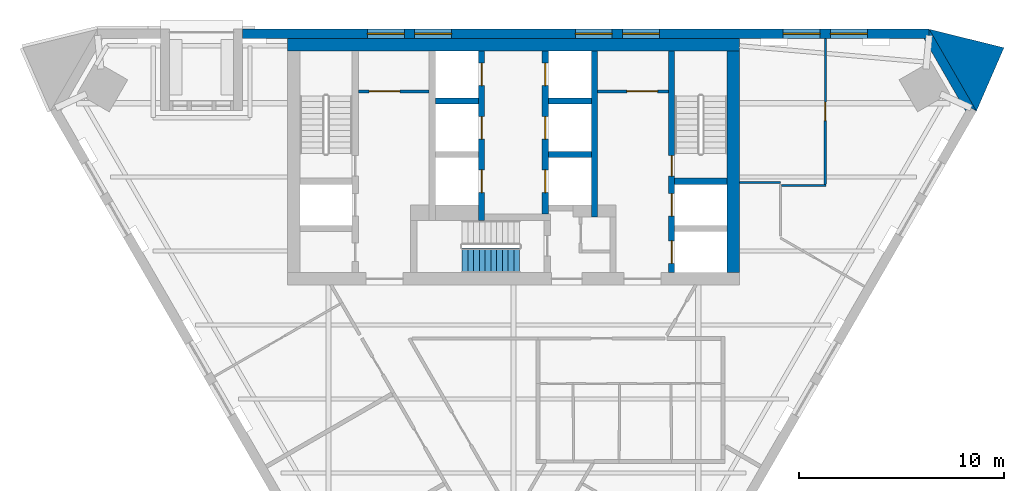
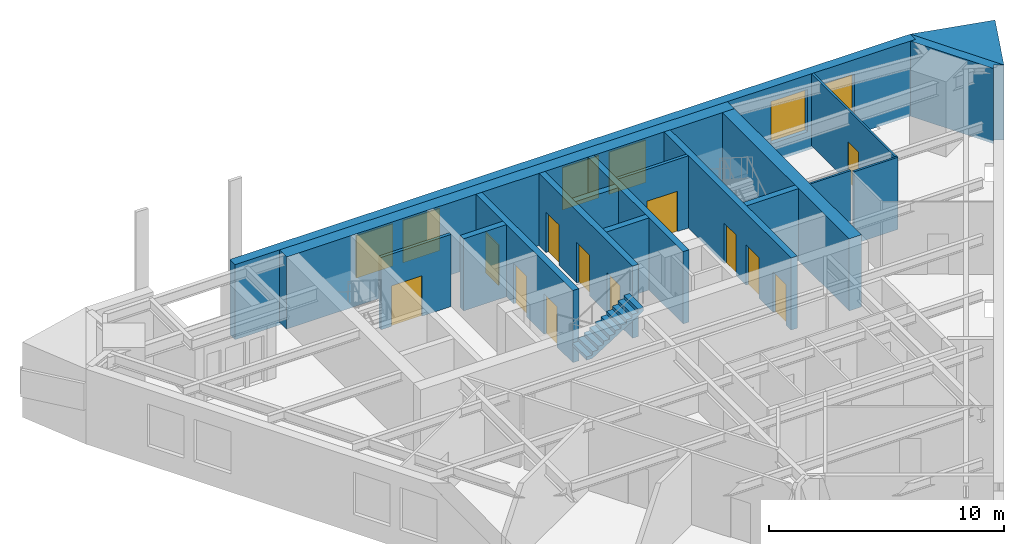
# One storey, part 5 of 8: 18 walls, 12 doors, 6 windows, 1 stair flight, 18 openings, 1 element without a shape of its own.
"""IFC4 building model written with IfcOpenShell, lengths in metres."""

from ifc_helpers import new_model, si_unit, direction, frame, frame_2d, origin, place, context, subcontext, project, spatial, polyline, rectangle, outline, extrude, material, layer, layer_set, type_object, element, fill, aggregate, save


model = new_model("IFC4")

# Units and contexts
model_context = context("Model", 3, precision=1e-05, world=origin(), true_north=direction((0.0, 1.0)))
body_context = subcontext(model_context, "Body", "Model", "MODEL_VIEW")
ifc_project = project(units=[si_unit("LENGTHUNIT", "METRE"), si_unit("AREAUNIT", "SQUARE_METRE"), si_unit("VOLUMEUNIT", "CUBIC_METRE"), si_unit("PLANEANGLEUNIT", "RADIAN"), si_unit("MASSUNIT", "GRAM", prefix="KILO")], contexts=[model_context])

# Site, building, storey
site_placement = place(None, origin())
site = spatial("IfcSite", under=ifc_project, at=site_placement, CompositionType="ELEMENT")
building_placement = place(site_placement, origin())
building = spatial("IfcBuilding", under=site, at=building_placement, Name="Aloe Facet Convention Tower", CompositionType="ELEMENT")
storey_placement = place(building_placement, frame((0.0, 0.0, 140.300048828125)))
storey = spatial("IfcBuildingStorey", under=building, at=storey_placement, Name="L35", CompositionType="ELEMENT", Elevation=140.300048828125)

# Wall, opening, door
ifc_material_1 = material(Name="Concrete blockwork partition", Category="masonry")
ifc_layer_1 = layer(ifc_material_1, 0.14990234375)
ifc_layer_set_1 = layer_set([ifc_layer_1], Name="CR-W-PART150")
wall_type_1 = type_object("IfcWallType", Name="CR-W-PART150", PredefinedType="PARTITIONING", material=ifc_layer_set_1)
wall_1_placement = place(storey_placement, frame((72.449951171875, 131.97509765625, 0.0), z_axis=(0.0, 0.0, 1.0), x_axis=(1.0, 0.0, 0.0)))
wall_1 = element("IfcWall", 1, at=wall_1_placement, inside=storey, type_object=wall_type_1, Name="Core partition L35-007", PredefinedType="PARTITIONING", context=body_context, shape_type="SweptSolid", body=[
    extrude(rectangle(XDim=3.449951171875, YDim=0.14990234375, at=frame_2d((1.72509765625, 0.0))), origin(), (0.0, 0.0, 1.0), 3.75),
])
opening_1_placement = place(wall_1_placement, frame((0.52490234375, 0.0, 0.0)))
opening_1 = element("IfcOpeningElement", 2, at=opening_1_placement, cuts=wall_1, Name="Opening L35-CD14", PredefinedType="OPENING", context=body_context, shape_type="SweptSolid", body=[
    extrude(rectangle(XDim=1.5, YDim=2.10009765625, at=frame_2d((0.75, 1.050048828125))), frame((0.0, 0.0849609375, 0.0), z_axis=(0.0, -1.0, 0.0), x_axis=(1.0, 0.0, 0.0)), (0.0, 0.0, 1.0), 0.169921875),
])
ifc_material_2 = material(Name="Steel fire-resisting door set FD60", Category="steel")
door_type_1 = type_object("IfcDoorType", Name="CR-D-REFUGE-1500-FD60-DD", OperationType="DOUBLE_DOOR_DOUBLE_SWING", PredefinedType="DOOR", material=ifc_material_2)
door_1_placement = place(opening_1_placement, origin())
door_1 = element("IfcDoor", 3, at=door_1_placement, inside=storey, type_object=door_type_1, Name="Core door L35-CD14", OperationType="DOUBLE_DOOR_DOUBLE_SWING", OverallHeight=2.10009765625, OverallWidth=1.5, PredefinedType="DOOR", context=body_context, shape_type="SweptSolid", body=[
    extrude(rectangle(XDim=1.5, YDim=2.10009765625, at=frame_2d((0.75, 1.050048828125))), frame((0.0, 0.02490234375, 0.0), z_axis=(0.0, -1.0, 0.0), x_axis=(1.0, 0.0, 0.0)), (0.0, 0.0, 1.0), 0.050048828125),
])
fill(opening_1, door_1)

wall_2_placement = place(storey_placement, frame((84.10009765625, 131.97509765625, 0.0), z_axis=(0.0, 0.0, 1.0), x_axis=(1.0, 0.0, 0.0)))
wall_2 = element("IfcWall", 4, at=wall_2_placement, inside=storey, type_object=wall_type_1, Name="Core partition L35-025", PredefinedType="PARTITIONING", context=body_context, shape_type="SweptSolid", body=[
    extrude(rectangle(XDim=3.449951171875, YDim=0.14990234375, at=frame_2d((1.72509765625, 0.0))), origin(), (0.0, 0.0, 1.0), 3.75),
])
opening_2_placement = place(wall_2_placement, frame((1.425048828125, 0.0, 0.0)))
opening_2 = element("IfcOpeningElement", 5, at=opening_2_placement, cuts=wall_2, Name="Opening L35-CD13", PredefinedType="OPENING", context=body_context, shape_type="SweptSolid", body=[
    extrude(rectangle(XDim=1.5, YDim=2.10009765625, at=frame_2d((0.75, 1.050048828125))), frame((0.0, 0.0849609375, 0.0), z_axis=(0.0, -1.0, 0.0), x_axis=(1.0, 0.0, 0.0)), (0.0, 0.0, 1.0), 0.169921875),
])
door_2_placement = place(opening_2_placement, origin())
door_2 = element("IfcDoor", 6, at=door_2_placement, inside=storey, type_object=door_type_1, Name="Core door L35-CD13", OperationType="DOUBLE_DOOR_DOUBLE_SWING", OverallHeight=2.10009765625, OverallWidth=1.5, PredefinedType="DOOR", context=body_context, shape_type="SweptSolid", body=[
    extrude(rectangle(XDim=1.5, YDim=2.10009765625, at=frame_2d((0.75, 1.050048828125))), frame((0.0, 0.02490234375, 0.0), z_axis=(0.0, -1.0, 0.0), x_axis=(1.0, 0.0, 0.0)), (0.0, 0.0, 1.0), 0.050048828125),
])
fill(opening_2, door_2)

# Wall
ifc_material_3 = material(Name="Concrete C60/75", Category="concrete")
ifc_layer_2 = layer(ifc_material_3, 0.300048828125)
ifc_layer_set_2 = layer_set([ifc_layer_2], Name="CR-W-RC300-C6075")
wall_type_2 = type_object("IfcWallType", Name="CR-W-RC300-C6075", PredefinedType="SOLIDWALL", material=ifc_layer_set_2)
wall_3_placement = place(storey_placement, frame((76.199951171875, 131.5, 0.0), z_axis=(0.0, 0.0, 1.0), x_axis=(1.0, 0.0, 0.0)))
element("IfcWall", 7, at=wall_3_placement, inside=storey, type_object=wall_type_2, Name="Core wall L35-011", PredefinedType="SOLIDWALL", context=body_context, shape_type="SweptSolid", body=[
    extrude(rectangle(XDim=2.10009765625, YDim=0.300048828125, at=frame_2d((1.050048828125, 0.0))), origin(), (0.0, 0.0, 1.0), 3.75),
])

# Wall, openings, doors
wall_4_placement = place(storey_placement, frame((78.449951171875, 133.949951171875, 0.0), z_axis=(0.0, 0.0, 1.0), x_axis=(0.0, -1.0, 0.0)))
wall_4 = element("IfcWall", 8, at=wall_4_placement, inside=storey, type_object=wall_type_2, Name="Core wall L35-014", PredefinedType="SOLIDWALL", context=body_context, shape_type="SweptSolid", body=[
    extrude(rectangle(XDim=8.25, YDim=0.300048828125, at=frame_2d((4.125, 0.0))), origin(), (0.0, 0.0, 1.0), 3.75),
])
opening_3_placement = place(wall_4_placement, frame((0.60009765625, 0.0, 0.0)))
opening_3 = element("IfcOpeningElement", 9, at=opening_3_placement, cuts=wall_4, Name="Opening LD-B1-L35", PredefinedType="OPENING", context=body_context, shape_type="SweptSolid", body=[
    extrude(rectangle(XDim=1.10009765625, YDim=2.10009765625, at=frame_2d((0.550048828125, 1.050048828125))), frame((0.0, 0.16015625, 0.0), z_axis=(0.0, -1.0, 0.0), x_axis=(1.0, 0.0, 0.0)), (0.0, 0.0, 1.0), 0.320068359375),
])
opening_4_placement = place(wall_4_placement, frame((3.199951171875, 0.0, 0.0)))
opening_4 = element("IfcOpeningElement", 10, at=opening_4_placement, cuts=wall_4, Name="Opening LD-B2-L35", PredefinedType="OPENING", context=body_context, shape_type="SweptSolid", body=[
    extrude(rectangle(XDim=1.10009765625, YDim=2.10009765625, at=frame_2d((0.550048828125, 1.050048828125))), frame((0.0, 0.16015625, 0.0), z_axis=(0.0, -1.0, 0.0), x_axis=(1.0, 0.0, 0.0)), (0.0, 0.0, 1.0), 0.320068359375),
])
opening_5_placement = place(wall_4_placement, frame((5.800048828125, 0.0, 0.0)))
opening_5 = element("IfcOpeningElement", 11, at=opening_5_placement, cuts=wall_4, Name="Opening LD-B3-L35", PredefinedType="OPENING", context=body_context, shape_type="SweptSolid", body=[
    extrude(rectangle(XDim=1.10009765625, YDim=2.10009765625, at=frame_2d((0.550048828125, 1.050048828125))), frame((0.0, 0.16015625, 0.0), z_axis=(0.0, -1.0, 0.0), x_axis=(1.0, 0.0, 0.0)), (0.0, 0.0, 1.0), 0.320068359375),
])
ifc_material_4 = material(Name="Stainless steel sliding landing door", Category="steel")
door_type_2 = type_object("IfcDoorType", Name="CR-LD-1100-FD60-RIGHT", OperationType="SLIDING_TO_RIGHT", PredefinedType="DOOR", material=ifc_material_4)
door_3_placement = place(opening_3_placement, origin())
door_3 = element("IfcDoor", 12, at=door_3_placement, inside=storey, type_object=door_type_2, Name="Landing door B1 L35", OperationType="SLIDING_TO_RIGHT", OverallHeight=2.10009765625, OverallWidth=1.10009765625, PredefinedType="DOOR", context=body_context, shape_type="SweptSolid", body=[
    extrude(rectangle(XDim=1.10009765625, YDim=2.10009765625, at=frame_2d((0.550048828125, 1.050048828125))), frame((0.0, 0.02490234375, 0.0), z_axis=(0.0, -1.0, 0.0), x_axis=(1.0, 0.0, 0.0)), (0.0, 0.0, 1.0), 0.050048828125),
])
fill(opening_3, door_3)
door_4_placement = place(opening_4_placement, origin())
door_4 = element("IfcDoor", 13, at=door_4_placement, inside=storey, type_object=door_type_2, Name="Landing door B2 L35", OperationType="SLIDING_TO_RIGHT", OverallHeight=2.10009765625, OverallWidth=1.10009765625, PredefinedType="DOOR", context=body_context, shape_type="SweptSolid", body=[
    extrude(rectangle(XDim=1.10009765625, YDim=2.10009765625, at=frame_2d((0.550048828125, 1.050048828125))), frame((0.0, 0.02490234375, 0.0), z_axis=(0.0, -1.0, 0.0), x_axis=(1.0, 0.0, 0.0)), (0.0, 0.0, 1.0), 0.050048828125),
])
fill(opening_4, door_4)
door_5_placement = place(opening_5_placement, origin())
door_5 = element("IfcDoor", 14, at=door_5_placement, inside=storey, type_object=door_type_2, Name="Landing door B3 L35", OperationType="SLIDING_TO_RIGHT", OverallHeight=2.10009765625, OverallWidth=1.10009765625, PredefinedType="DOOR", context=body_context, shape_type="SweptSolid", body=[
    extrude(rectangle(XDim=1.10009765625, YDim=2.10009765625, at=frame_2d((0.550048828125, 1.050048828125))), frame((0.0, 0.02490234375, 0.0), z_axis=(0.0, -1.0, 0.0), x_axis=(1.0, 0.0, 0.0)), (0.0, 0.0, 1.0), 0.050048828125),
])
fill(opening_5, door_5)

wall_5_placement = place(storey_placement, frame((81.550048828125, 133.949951171875, 0.0), z_axis=(0.0, 0.0, 1.0), x_axis=(0.0, -1.0, 0.0)))
wall_5 = element("IfcWall", 15, at=wall_5_placement, inside=storey, type_object=wall_type_2, Name="Core wall L35-016", PredefinedType="SOLIDWALL", context=body_context, shape_type="SweptSolid", body=[
    extrude(rectangle(XDim=7.949951171875, YDim=0.300048828125, at=frame_2d((3.97509765625, 0.0))), origin(), (0.0, 0.0, 1.0), 3.75),
])
opening_6_placement = place(wall_5_placement, frame((0.60009765625, 0.0, 0.0)))
opening_6 = element("IfcOpeningElement", 16, at=opening_6_placement, cuts=wall_5, Name="Opening LD-B4-L35", PredefinedType="OPENING", context=body_context, shape_type="SweptSolid", body=[
    extrude(rectangle(XDim=1.10009765625, YDim=2.10009765625, at=frame_2d((0.550048828125, 1.050048828125))), frame((0.0, 0.16015625, 0.0), z_axis=(0.0, -1.0, 0.0), x_axis=(1.0, 0.0, 0.0)), (0.0, 0.0, 1.0), 0.320068359375),
])
opening_7_placement = place(wall_5_placement, frame((3.199951171875, 0.0, 0.0)))
opening_7 = element("IfcOpeningElement", 17, at=opening_7_placement, cuts=wall_5, Name="Opening LD-B5-L35", PredefinedType="OPENING", context=body_context, shape_type="SweptSolid", body=[
    extrude(rectangle(XDim=1.10009765625, YDim=2.10009765625, at=frame_2d((0.550048828125, 1.050048828125))), frame((0.0, 0.16015625, 0.0), z_axis=(0.0, -1.0, 0.0), x_axis=(1.0, 0.0, 0.0)), (0.0, 0.0, 1.0), 0.320068359375),
])
opening_8_placement = place(wall_5_placement, frame((5.800048828125, 0.0, 0.0)))
opening_8 = element("IfcOpeningElement", 18, at=opening_8_placement, cuts=wall_5, Name="Opening LD-B6-L35", PredefinedType="OPENING", context=body_context, shape_type="SweptSolid", body=[
    extrude(rectangle(XDim=1.10009765625, YDim=2.10009765625, at=frame_2d((0.550048828125, 1.050048828125))), frame((0.0, 0.16015625, 0.0), z_axis=(0.0, -1.0, 0.0), x_axis=(1.0, 0.0, 0.0)), (0.0, 0.0, 1.0), 0.320068359375),
])
ifc_material_5 = material(Name="Stainless steel sliding landing door", Category="steel")
door_type_3 = type_object("IfcDoorType", Name="CR-LD-1100-FD60-_LEFT", OperationType="SLIDING_TO_LEFT", PredefinedType="DOOR", material=ifc_material_5)
door_6_placement = place(opening_6_placement, origin())
door_6 = element("IfcDoor", 19, at=door_6_placement, inside=storey, type_object=door_type_3, Name="Landing door B4 L35", OperationType="SLIDING_TO_LEFT", OverallHeight=2.10009765625, OverallWidth=1.10009765625, PredefinedType="DOOR", context=body_context, shape_type="SweptSolid", body=[
    extrude(rectangle(XDim=1.10009765625, YDim=2.10009765625, at=frame_2d((0.550048828125, 1.050048828125))), frame((0.0, 0.02490234375, 0.0), z_axis=(0.0, -1.0, 0.0), x_axis=(1.0, 0.0, 0.0)), (0.0, 0.0, 1.0), 0.050048828125),
])
fill(opening_6, door_6)
door_7_placement = place(opening_7_placement, origin())
door_7 = element("IfcDoor", 20, at=door_7_placement, inside=storey, type_object=door_type_3, Name="Landing door B5 L35", OperationType="SLIDING_TO_LEFT", OverallHeight=2.10009765625, OverallWidth=1.10009765625, PredefinedType="DOOR", context=body_context, shape_type="SweptSolid", body=[
    extrude(rectangle(XDim=1.10009765625, YDim=2.10009765625, at=frame_2d((0.550048828125, 1.050048828125))), frame((0.0, 0.02490234375, 0.0), z_axis=(0.0, -1.0, 0.0), x_axis=(1.0, 0.0, 0.0)), (0.0, 0.0, 1.0), 0.050048828125),
])
fill(opening_7, door_7)
door_8_placement = place(opening_8_placement, origin())
door_8 = element("IfcDoor", 21, at=door_8_placement, inside=storey, type_object=door_type_3, Name="Landing door B6 L35", OperationType="SLIDING_TO_LEFT", OverallHeight=2.10009765625, OverallWidth=1.10009765625, PredefinedType="DOOR", context=body_context, shape_type="SweptSolid", body=[
    extrude(rectangle(XDim=1.10009765625, YDim=2.10009765625, at=frame_2d((0.550048828125, 1.050048828125))), frame((0.0, 0.02490234375, 0.0), z_axis=(0.0, -1.0, 0.0), x_axis=(1.0, 0.0, 0.0)), (0.0, 0.0, 1.0), 0.050048828125),
])
fill(opening_8, door_8)

# Walls
for number, where, z_axis, x_axis, name in (
    (22, (81.699951171875, 131.5, 0.0), (0.0, 0.0, 1.0), (1.0, 0.0, 0.0), "Core wall L35-018"),
    (23, (81.699951171875, 128.89990234375, 0.0), (0.0, 0.0, 1.0), (1.0, 0.0, 0.0), "Core wall L35-019"),
):
    element("IfcWall", number, at=place(storey_placement, frame(where, z_axis=z_axis, x_axis=x_axis)), inside=storey, type_object=wall_type_2, Name=name, PredefinedType="SOLIDWALL", context=body_context, shape_type="SweptSolid", body=[
        extrude(rectangle(XDim=2.10009765625, YDim=0.300048828125, at=frame_2d((1.050048828125, 0.0))), origin(), (0.0, 0.0, 1.0), 3.75),
    ])
wall_6_placement = place(storey_placement, frame((83.949951171875, 133.949951171875, 0.0), z_axis=(0.0, 0.0, 1.0), x_axis=(0.0, -1.0, 0.0)))
element("IfcWall", 24, at=wall_6_placement, inside=storey, type_object=wall_type_2, Name="Core wall L35-024", PredefinedType="SOLIDWALL", context=body_context, shape_type="SweptSolid", body=[
    extrude(rectangle(XDim=8.099853515625, YDim=0.300048828125, at=frame_2d((4.0498046875, 0.0))), origin(), (0.0, 0.0, 1.0), 3.75),
])

# Wall, openings, doors
wall_7_placement = place(storey_placement, frame((87.699951171875, 133.949951171875, 0.0), z_axis=(0.0, 0.0, 1.0), x_axis=(0.0, -1.0, 0.0)))
wall_7 = element("IfcWall", 25, at=wall_7_placement, inside=storey, type_object=wall_type_2, Name="Core wall L35-028", PredefinedType="SOLIDWALL", context=body_context, shape_type="SweptSolid", body=[
    extrude(rectangle(XDim=10.800048828125, YDim=0.300048828125, at=frame_2d((5.39990234375, 0.0))), origin(), (0.0, 0.0, 1.0), 3.75),
])
opening_9_placement = place(wall_7_placement, frame((6.949951171875, 0.0, 0.0)))
opening_9 = element("IfcOpeningElement", 26, at=opening_9_placement, cuts=wall_7, Name="Opening LD-FF2-L35", PredefinedType="OPENING", context=body_context, shape_type="SweptSolid", body=[
    extrude(rectangle(XDim=1.10009765625, YDim=2.10009765625, at=frame_2d((0.550048828125, 1.050048828125))), frame((0.0, 0.16015625, 0.0), z_axis=(0.0, -1.0, 0.0), x_axis=(1.0, 0.0, 0.0)), (0.0, 0.0, 1.0), 0.320068359375),
])
opening_10_placement = place(wall_7_placement, frame((5.10009765625, 0.0, 0.0)))
opening_10 = element("IfcOpeningElement", 27, at=opening_10_placement, cuts=wall_7, Name="Opening L35-CD17", PredefinedType="OPENING", context=body_context, shape_type="SweptSolid", body=[
    extrude(rectangle(XDim=1.0, YDim=2.10009765625, at=frame_2d((0.5, 1.050048828125))), frame((0.0, 0.16015625, 0.0), z_axis=(0.0, -1.0, 0.0), x_axis=(1.0, 0.0, 0.0)), (0.0, 0.0, 1.0), 0.320068359375),
])
opening_11_placement = place(wall_7_placement, frame((9.25, 0.0, 0.0)))
opening_11 = element("IfcOpeningElement", 28, at=opening_11_placement, cuts=wall_7, Name="Opening LD-SV1-L35", PredefinedType="OPENING", context=body_context, shape_type="SweptSolid", body=[
    extrude(rectangle(XDim=1.10009765625, YDim=2.10009765625, at=frame_2d((0.550048828125, 1.050048828125))), frame((0.0, 0.16015625, 0.0), z_axis=(0.0, -1.0, 0.0), x_axis=(1.0, 0.0, 0.0)), (0.0, 0.0, 1.0), 0.320068359375),
])
ifc_material_6 = material(Name="Steel fire-resisting door set FD120", Category="steel")
door_type_4 = type_object("IfcDoorType", Name="CR-D-STAIR-1000-FD120-SLEFT", OperationType="SINGLE_SWING_LEFT", PredefinedType="DOOR", material=ifc_material_6)
door_9_placement = place(opening_10_placement, origin())
door_9 = element("IfcDoor", 29, at=door_9_placement, inside=storey, type_object=door_type_4, Name="Core door L35-CD17", OperationType="SINGLE_SWING_LEFT", OverallHeight=2.10009765625, OverallWidth=1.0, PredefinedType="DOOR", context=body_context, shape_type="SweptSolid", body=[
    extrude(rectangle(XDim=1.0, YDim=2.10009765625, at=frame_2d((0.5, 1.050048828125))), frame((0.0, 0.02490234375, 0.0), z_axis=(0.0, -1.0, 0.0), x_axis=(1.0, 0.0, 0.0)), (0.0, 0.0, 1.0), 0.050048828125),
])
fill(opening_10, door_9)
ifc_material_7 = material(Name="Stainless steel sliding landing door", Category="steel")
door_type_5 = type_object("IfcDoorType", Name="CR-LD-1100-FD120-_LEFT", OperationType="SLIDING_TO_LEFT", PredefinedType="DOOR", material=ifc_material_7)
door_10_placement = place(opening_9_placement, origin())
door_10 = element("IfcDoor", 30, at=door_10_placement, inside=storey, type_object=door_type_5, Name="Landing door FF2 L35", OperationType="SLIDING_TO_LEFT", OverallHeight=2.10009765625, OverallWidth=1.10009765625, PredefinedType="DOOR", context=body_context, shape_type="SweptSolid", body=[
    extrude(rectangle(XDim=1.10009765625, YDim=2.10009765625, at=frame_2d((0.550048828125, 1.050048828125))), frame((0.0, 0.02490234375, 0.0), z_axis=(0.0, -1.0, 0.0), x_axis=(1.0, 0.0, 0.0)), (0.0, 0.0, 1.0), 0.050048828125),
])
fill(opening_9, door_10)
door_11_placement = place(opening_11_placement, origin())
door_11 = element("IfcDoor", 31, at=door_11_placement, inside=storey, type_object=door_type_5, Name="Landing door SV1 L35", OperationType="SLIDING_TO_LEFT", OverallHeight=2.10009765625, OverallWidth=1.10009765625, PredefinedType="DOOR", context=body_context, shape_type="SweptSolid", body=[
    extrude(rectangle(XDim=1.10009765625, YDim=2.10009765625, at=frame_2d((0.550048828125, 1.050048828125))), frame((0.0, 0.02490234375, 0.0), z_axis=(0.0, -1.0, 0.0), x_axis=(1.0, 0.0, 0.0)), (0.0, 0.0, 1.0), 0.050048828125),
])
fill(opening_11, door_11)

# Walls
wall_8_placement = place(storey_placement, frame((87.85009765625, 127.60009765625, 0.0), z_axis=(0.0, 0.0, 1.0), x_axis=(1.0, 0.0, 0.0)))
element("IfcWall", 32, at=wall_8_placement, inside=storey, type_object=wall_type_2, Name="Core wall L35-029", PredefinedType="SOLIDWALL", context=body_context, shape_type="SweptSolid", body=[
    extrude(rectangle(XDim=2.5498046875, YDim=0.300048828125, at=frame_2d((1.27490234375, 0.0))), origin(), (0.0, 0.0, 1.0), 3.75),
])
ifc_material_8 = material(Name="Concrete C60/75", Category="concrete")
ifc_layer_3 = layer(ifc_material_8, 0.60009765625)
ifc_layer_set_3 = layer_set([ifc_layer_3], Name="CR-W-RC600-C6075")
wall_type_3 = type_object("IfcWallType", Name="CR-W-RC600-C6075", PredefinedType="SOLIDWALL", material=ifc_layer_set_3)
wall_9_placement = place(storey_placement, frame((69.0, 134.25, 0.0), z_axis=(0.0, 0.0, 1.0), x_axis=(1.0, 0.0, 0.0)))
element("IfcWall", 33, at=wall_9_placement, inside=storey, type_object=wall_type_3, Name="Core wall L35-001", PredefinedType="SOLIDWALL", context=body_context, shape_type="SweptSolid", body=[
    extrude(rectangle(XDim=22.0, YDim=0.60009765625, at=frame_2d((11.0, 0.0))), origin(), (0.0, 0.0, 1.0), 3.75),
])
wall_10_placement = place(storey_placement, frame((90.699951171875, 133.949951171875, 0.0), z_axis=(0.0, 0.0, 1.0), x_axis=(0.0, -1.0, 0.0)))
element("IfcWall", 34, at=wall_10_placement, inside=storey, type_object=wall_type_3, Name="Core wall L35-031", PredefinedType="SOLIDWALL", context=body_context, shape_type="SweptSolid", body=[
    extrude(rectangle(XDim=10.800048828125, YDim=0.60009765625, at=frame_2d((5.39990234375, 0.0))), origin(), (0.0, 0.0, 1.0), 3.75),
])
ifc_material_9 = material(Name="Precast concrete C40/50", Category="concrete")
ifc_layer_4 = layer(ifc_material_9, 0.449951171875)
ifc_layer_set_4 = layer_set([ifc_layer_4], Name="EV-WALL-PIER")
wall_type_4 = type_object("IfcWallType", Name="EV-WALL-PIER", PredefinedType="SOLIDWALL", material=ifc_layer_set_4)
wall_11_placement = place(storey_placement, frame((0.0, 0.0, -0.150146484375)))
element("IfcWall", 35, at=wall_11_placement, inside=storey, type_object=wall_type_4, Name="EP-L35-C", PredefinedType="SOLIDWALL", context=body_context, shape_type="SweptSolid", body=[
    extrude(outline(polyline([(102.54296875, 131.016357421875), (102.1533203125, 131.2412109375), (102.0234375, 131.016357421875), (99.983154296875, 134.550048828125), (100.2431640625, 134.550048828125), (100.2431640625, 135.0), (102.54296875, 131.016357421875)])), origin(), (0.0, 0.0, 1.0), 3.900146484375),
])
ifc_material_10 = material(Name="Precast concrete C40/50", Category="concrete")
ifc_layer_5 = layer(ifc_material_10, 3.947998046875)
ifc_layer_set_5 = layer_set([ifc_layer_5], Name="EV-WALL-SPINE")
wall_type_5 = type_object("IfcWallType", Name="EV-WALL-SPINE", PredefinedType="SOLIDWALL", material=ifc_layer_set_5)
wall_12_placement = place(storey_placement, frame((0.0, 0.0, -0.150146484375)))
element("IfcWall", 36, at=wall_12_placement, inside=storey, type_object=wall_type_5, Name="SP-NE-L35", PredefinedType="SOLIDWALL", context=body_context, shape_type="SweptSolid", body=[
    extrude(outline(polyline([(102.54296875, 131.016357421875), (103.88427734375, 134.1015625), (100.2431640625, 135.0), (102.54296875, 131.016357421875)])), origin(), (0.0, 0.0, 1.0), 3.900146484375),
])

# Wall, openings, windows
ifc_material_11 = material(Name="Precast concrete C40/50", Category="concrete")
ifc_layer_6 = layer(ifc_material_11, 0.449951171875)
ifc_layer_set_6 = layer_set([ifc_layer_6], Name="EV-WALL-STONE")
wall_type_6 = type_object("IfcWallType", Name="EV-WALL-STONE", PredefinedType="SOLIDWALL", material=ifc_layer_set_6)
wall_13_placement = place(storey_placement, frame((100.2431640625, 134.77490234375, -0.150146484375), z_axis=(0.0, 0.0, 1.0), x_axis=(-1.0, 0.0, 0.0)))
wall_13 = element("IfcWall", 37, at=wall_13_placement, inside=storey, type_object=wall_type_6, Name="EW-L35-N01", PredefinedType="SOLIDWALL", context=body_context, shape_type="SweptSolid", body=[
    extrude(outline(polyline([(0.0, 0.0), (0.0, 3.900146484375), (33.42529296875, 3.900146484375), (33.42529296875, 0.0), (0.0, 0.0)])), frame((0.0, 0.22509765625, 0.0), z_axis=(0.0, -1.0, 0.0), x_axis=(1.0, 0.0, 0.0)), (0.0, 0.0, 1.0), 0.449951171875),
])
opening_12_placement = place(wall_13_placement, frame((3.0107421875, 0.0, 0.949951171875)))
opening_12 = element("IfcOpeningElement", 38, at=opening_12_placement, cuts=wall_13, Name="Opening W-L35-N01", PredefinedType="OPENING", context=body_context, shape_type="SweptSolid", body=[
    extrude(rectangle(XDim=1.800048828125, YDim=2.199951171875, at=frame_2d((0.89990234375, 1.10009765625))), frame((0.0, 0.23486328125, 0.0), z_axis=(0.0, -1.0, 0.0), x_axis=(1.0, 0.0, 0.0)), (0.0, 0.0, 1.0), 0.469970703125),
])
opening_13_placement = place(wall_13_placement, frame((5.310791015625, 0.0, 0.949951171875)))
opening_13 = element("IfcOpeningElement", 39, at=opening_13_placement, cuts=wall_13, Name="Opening W-L35-N02", PredefinedType="OPENING", context=body_context, shape_type="SweptSolid", body=[
    extrude(rectangle(XDim=1.800048828125, YDim=2.199951171875, at=frame_2d((0.89990234375, 1.10009765625))), frame((0.0, 0.23486328125, 0.0), z_axis=(0.0, -1.0, 0.0), x_axis=(1.0, 0.0, 0.0)), (0.0, 0.0, 1.0), 0.469970703125),
])
opening_14_placement = place(wall_13_placement, frame((13.13232421875, 0.0, 0.949951171875)))
opening_14 = element("IfcOpeningElement", 40, at=opening_14_placement, cuts=wall_13, Name="Opening W-L35-N03", PredefinedType="OPENING", context=body_context, shape_type="SweptSolid", body=[
    extrude(rectangle(XDim=1.800048828125, YDim=2.199951171875, at=frame_2d((0.89990234375, 1.10009765625))), frame((0.0, 0.23486328125, 0.0), z_axis=(0.0, -1.0, 0.0), x_axis=(1.0, 0.0, 0.0)), (0.0, 0.0, 1.0), 0.469970703125),
])
opening_15_placement = place(wall_13_placement, frame((15.432373046875, 0.0, 0.949951171875)))
opening_15 = element("IfcOpeningElement", 41, at=opening_15_placement, cuts=wall_13, Name="Opening W-L35-N04", PredefinedType="OPENING", context=body_context, shape_type="SweptSolid", body=[
    extrude(rectangle(XDim=1.800048828125, YDim=2.199951171875, at=frame_2d((0.89990234375, 1.10009765625))), frame((0.0, 0.23486328125, 0.0), z_axis=(0.0, -1.0, 0.0), x_axis=(1.0, 0.0, 0.0)), (0.0, 0.0, 1.0), 0.469970703125),
])
opening_16_placement = place(wall_13_placement, frame((23.25390625, 0.0, 0.949951171875)))
opening_16 = element("IfcOpeningElement", 42, at=opening_16_placement, cuts=wall_13, Name="Opening W-L35-N05", PredefinedType="OPENING", context=body_context, shape_type="SweptSolid", body=[
    extrude(rectangle(XDim=1.800048828125, YDim=2.199951171875, at=frame_2d((0.89990234375, 1.10009765625))), frame((0.0, 0.23486328125, 0.0), z_axis=(0.0, -1.0, 0.0), x_axis=(1.0, 0.0, 0.0)), (0.0, 0.0, 1.0), 0.469970703125),
])
opening_17_placement = place(wall_13_placement, frame((25.553955078125, 0.0, 0.949951171875)))
opening_17 = element("IfcOpeningElement", 43, at=opening_17_placement, cuts=wall_13, Name="Opening W-L35-N06", PredefinedType="OPENING", context=body_context, shape_type="SweptSolid", body=[
    extrude(rectangle(XDim=1.800048828125, YDim=2.199951171875, at=frame_2d((0.89990234375, 1.10009765625))), frame((0.0, 0.23486328125, 0.0), z_axis=(0.0, -1.0, 0.0), x_axis=(1.0, 0.0, 0.0)), (0.0, 0.0, 1.0), 0.469970703125),
])
ifc_material_12 = material(Name="Aluminium frame, clear double glazing", Category="aluminium")
window_type = type_object("IfcWindowType", Name="EV-WIN-O18", PartitioningType="SINGLE_PANEL", PredefinedType="WINDOW", material=ifc_material_12)
window_1_placement = place(opening_12_placement, origin())
window_1 = element("IfcWindow", 44, at=window_1_placement, inside=storey, type_object=window_type, Name="W-L35-N01", OverallHeight=2.199951171875, OverallWidth=1.800048828125, PartitioningType="SINGLE_PANEL", PredefinedType="WINDOW", context=body_context, shape_type="SweptSolid", body=[
    extrude(rectangle(XDim=1.800048828125, YDim=2.199951171875, at=frame_2d((0.89990234375, 1.10009765625))), frame((0.0, 0.030029296875, 0.0), z_axis=(0.0, -1.0, 0.0), x_axis=(1.0, 0.0, 0.0)), (0.0, 0.0, 1.0), 0.06005859375),
])
fill(opening_12, window_1)
window_2_placement = place(opening_13_placement, origin())
window_2 = element("IfcWindow", 45, at=window_2_placement, inside=storey, type_object=window_type, Name="W-L35-N02", OverallHeight=2.199951171875, OverallWidth=1.800048828125, PartitioningType="SINGLE_PANEL", PredefinedType="WINDOW", context=body_context, shape_type="SweptSolid", body=[
    extrude(rectangle(XDim=1.800048828125, YDim=2.199951171875, at=frame_2d((0.89990234375, 1.10009765625))), frame((0.0, 0.030029296875, 0.0), z_axis=(0.0, -1.0, 0.0), x_axis=(1.0, 0.0, 0.0)), (0.0, 0.0, 1.0), 0.06005859375),
])
fill(opening_13, window_2)
window_3_placement = place(opening_14_placement, origin())
window_3 = element("IfcWindow", 46, at=window_3_placement, inside=storey, type_object=window_type, Name="W-L35-N03", OverallHeight=2.199951171875, OverallWidth=1.800048828125, PartitioningType="SINGLE_PANEL", PredefinedType="WINDOW", context=body_context, shape_type="SweptSolid", body=[
    extrude(rectangle(XDim=1.800048828125, YDim=2.199951171875, at=frame_2d((0.89990234375, 1.10009765625))), frame((0.0, 0.030029296875, 0.0), z_axis=(0.0, -1.0, 0.0), x_axis=(1.0, 0.0, 0.0)), (0.0, 0.0, 1.0), 0.06005859375),
])
fill(opening_14, window_3)
window_4_placement = place(opening_15_placement, origin())
window_4 = element("IfcWindow", 47, at=window_4_placement, inside=storey, type_object=window_type, Name="W-L35-N04", OverallHeight=2.199951171875, OverallWidth=1.800048828125, PartitioningType="SINGLE_PANEL", PredefinedType="WINDOW", context=body_context, shape_type="SweptSolid", body=[
    extrude(rectangle(XDim=1.800048828125, YDim=2.199951171875, at=frame_2d((0.89990234375, 1.10009765625))), frame((0.0, 0.030029296875, 0.0), z_axis=(0.0, -1.0, 0.0), x_axis=(1.0, 0.0, 0.0)), (0.0, 0.0, 1.0), 0.06005859375),
])
fill(opening_15, window_4)
window_5_placement = place(opening_16_placement, origin())
window_5 = element("IfcWindow", 48, at=window_5_placement, inside=storey, type_object=window_type, Name="W-L35-N05", OverallHeight=2.199951171875, OverallWidth=1.800048828125, PartitioningType="SINGLE_PANEL", PredefinedType="WINDOW", context=body_context, shape_type="SweptSolid", body=[
    extrude(rectangle(XDim=1.800048828125, YDim=2.199951171875, at=frame_2d((0.89990234375, 1.10009765625))), frame((0.0, 0.030029296875, 0.0), z_axis=(0.0, -1.0, 0.0), x_axis=(1.0, 0.0, 0.0)), (0.0, 0.0, 1.0), 0.06005859375),
])
fill(opening_16, window_5)
window_6_placement = place(opening_17_placement, origin())
window_6 = element("IfcWindow", 49, at=window_6_placement, inside=storey, type_object=window_type, Name="W-L35-N06", OverallHeight=2.199951171875, OverallWidth=1.800048828125, PartitioningType="SINGLE_PANEL", PredefinedType="WINDOW", context=body_context, shape_type="SweptSolid", body=[
    extrude(rectangle(XDim=1.800048828125, YDim=2.199951171875, at=frame_2d((0.89990234375, 1.10009765625))), frame((0.0, 0.030029296875, 0.0), z_axis=(0.0, -1.0, 0.0), x_axis=(1.0, 0.0, 0.0)), (0.0, 0.0, 1.0), 0.06005859375),
])
fill(opening_17, window_6)

# Wall
ifc_material_13 = material(Name="Gypsum board partition on steel studs", Category="steel")
ifc_layer_7 = layer(ifc_material_13, 0.10009765625)
ifc_layer_set_7 = layer_set([ifc_layer_7], Name="IN-W-PART")
wall_type_7 = type_object("IfcWallType", Name="IN-W-PART", PredefinedType="PARTITIONING", material=ifc_layer_set_7)
wall_14_placement = place(storey_placement, frame((93.050048828125, 127.39990234375, 0.0), z_axis=(0.0, 0.0, 1.0), x_axis=(1.0, 0.0, 0.0)))
element("IfcWall", 50, at=wall_14_placement, inside=storey, type_object=wall_type_7, Name="Partition L35-W043", PredefinedType="PARTITIONING", context=body_context, shape_type="SweptSolid", body=[
    extrude(rectangle(XDim=2.18017578125, YDim=0.10009765625, at=frame_2d((1.090087890625, 0.0))), origin(), (0.0, 0.0, 1.0), 3.75),
])

# Wall, opening, door
wall_15_placement = place(storey_placement, frame((95.180419921875, 127.449951171875, 0.0), z_axis=(0.0, 0.0, 1.0), x_axis=(0.000687710449, 0.999999763527, 0.0)))
wall_15 = element("IfcWall", 51, at=wall_15_placement, inside=storey, type_object=wall_type_7, Name="Partition L35-W044", PredefinedType="PARTITIONING", context=body_context, shape_type="SweptSolid", body=[
    extrude(rectangle(XDim=7.10009765625, YDim=0.10009765625, at=frame_2d((3.550048828125, 0.0))), origin(), (0.0, 0.0, 1.0), 3.75),
])
opening_18_placement = place(wall_15_placement, frame((3.10009765625, 0.0, 0.0)))
opening_18 = element("IfcOpeningElement", 52, at=opening_18_placement, cuts=wall_15, Name="Opening L35-006", PredefinedType="OPENING", context=body_context, shape_type="SweptSolid", body=[
    extrude(rectangle(XDim=0.89990234375, YDim=2.10009765625, at=frame_2d((0.449951171875, 1.050048828125))), frame((0.0, 0.06005859375, 0.0), z_axis=(0.0, -1.0, 0.0), x_axis=(1.0, 0.0, 0.0)), (0.0, 0.0, 1.0), 0.1201171875),
])
ifc_material_14 = material(Name="Timber door", Category="wood")
door_type_6 = type_object("IfcDoorType", Name="IN-OFF-D-ROOM", OperationType="SINGLE_SWING_LEFT", PredefinedType="DOOR", material=ifc_material_14)
door_12_placement = place(opening_18_placement, origin())
door_12 = element("IfcDoor", 53, at=door_12_placement, inside=storey, type_object=door_type_6, Name="Door L35-006", OperationType="SINGLE_SWING_LEFT", OverallHeight=2.10009765625, OverallWidth=0.89990234375, PredefinedType="DOOR", context=body_context, shape_type="SweptSolid", body=[
    extrude(rectangle(XDim=0.89990234375, YDim=2.10009765625, at=frame_2d((0.449951171875, 1.050048828125))), frame((0.0, 0.02490234375, 0.0), z_axis=(0.0, -1.0, 0.0), x_axis=(1.0, 0.0, 0.0)), (0.0, 0.0, 1.0), 0.050048828125),
])
fill(opening_18, door_12)

# Wall
wall_16_placement = place(storey_placement, frame((91.0, 127.547119140625, 0.0), z_axis=(0.0, 0.0, 1.0), x_axis=(1.0, 0.0, 0.0)))
element("IfcWall", 54, at=wall_16_placement, inside=storey, type_object=wall_type_7, Name="Partition L35-W045", PredefinedType="PARTITIONING", context=body_context, shape_type="SweptSolid", body=[
    extrude(rectangle(XDim=1.996826171875, YDim=0.10009765625, at=frame_2d((0.99853515625, 0.0))), origin(), (0.0, 0.0, 1.0), 3.75),
])

# Stair, stair flight
ifc_material_15 = material(Name="Concrete C50/60", Category="concrete")
stair_type = type_object("IfcStairType", Name="CR-ST-22R", PredefinedType="HALF_TURN_STAIR", material=ifc_material_15)
stair_placement = place(storey_placement, origin())
stair = element("IfcStair", 55, at=stair_placement, inside=storey, type_object=stair_type, Name="L35 Protected exit stair ST3", PredefinedType="HALF_TURN_STAIR")
ifc_material_16 = material(Name="Concrete C50/60", Category="concrete")
stair_flight_type = type_object("IfcStairFlightType", Name="CR-SFL-22R", PredefinedType="STRAIGHT", material=ifc_material_16)
stair_flight_placement = place(storey_placement, frame((77.5, 123.75, 1.949951171875), z_axis=(0.0, 0.0, 1.0), x_axis=(1.0, 0.0, 0.0)))
stair_flight = element("IfcStairFlight", 56, at=stair_flight_placement, type_object=stair_flight_type, Name="ST3 flight 2", NumberOfRisers=11, NumberOfTreads=10, PredefinedType="STRAIGHT", RiserHeight=0.177272727, TreadLength=0.28, context=body_context, shape_type="SweptSolid", body=[
    extrude(outline(polyline([(0.0, 0.0), (0.0, 0.17724609375), (0.280029296875, 0.17724609375), (0.280029296875, 0.3544921875), (0.56005859375, 0.3544921875), (0.56005859375, 0.53173828125), (0.840087890625, 0.53173828125), (0.840087890625, 0.708984375), (1.1201171875, 0.708984375), (1.1201171875, 0.886474609375), (1.39990234375, 0.886474609375), (1.39990234375, 1.063720703125), (1.679931640625, 1.063720703125), (1.679931640625, 1.240966796875), (1.9599609375, 1.240966796875), (1.9599609375, 1.418212890625), (2.239990234375, 1.418212890625), (2.239990234375, 1.595458984375), (2.52001953125, 1.595458984375), (2.52001953125, 1.772705078125), (2.800048828125, 1.772705078125), (2.800048828125, 1.949951171875), (2.800048828125, 1.59521484375), (0.2802734375, 0.0), (0.0, 0.0)])), frame((0.0, 0.60009765625, 0.0), z_axis=(0.0, -1.0, 0.0), x_axis=(1.0, 0.0, 0.0)), (0.0, 0.0, 1.0), 1.199951171875),
])
aggregate(stair, [stair_flight])

save(model, "model.ifc")
